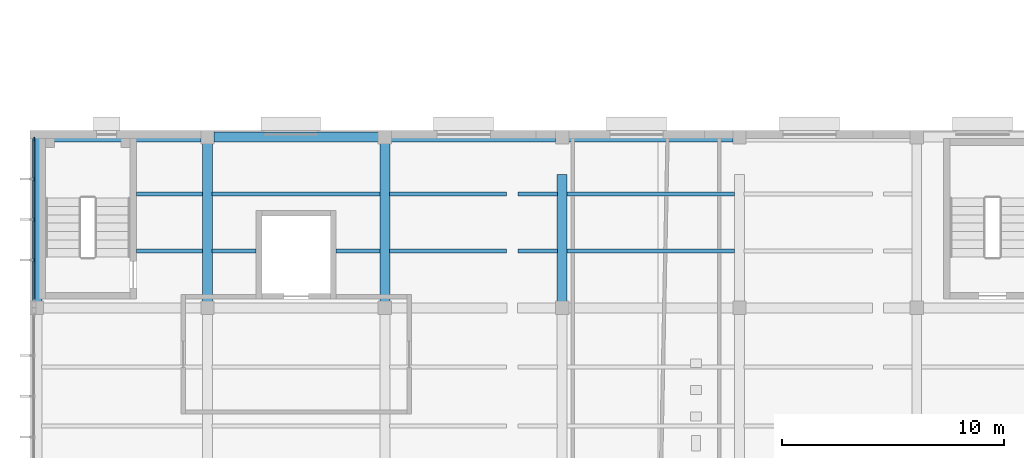
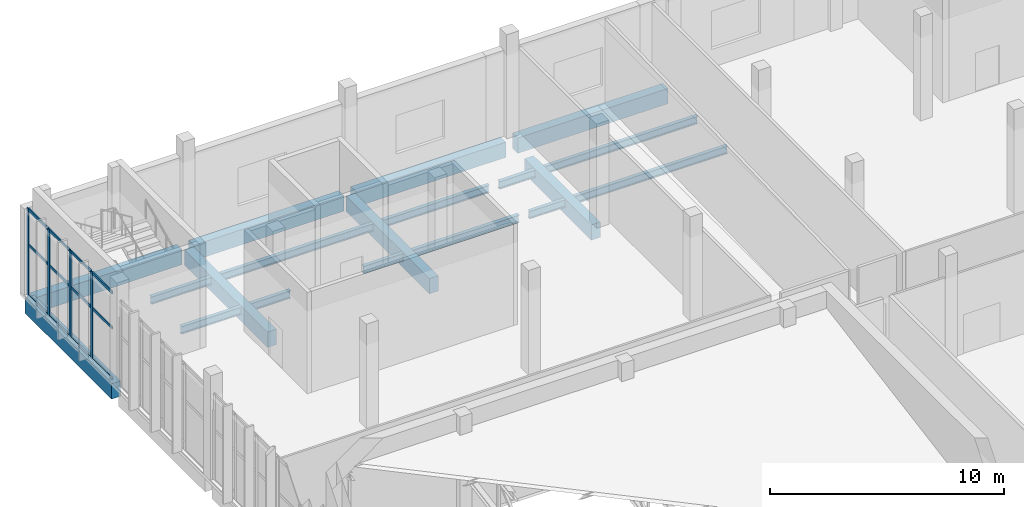
# One storey, part 26 of 132: 19 beams, 16 members, 1 element without a shape of its own.
"""IFC4 building model written with IfcOpenShell, lengths in metres."""

from ifc_helpers import new_model, si_unit, direction, frame, origin, origin_2d, place, context, subcontext, project, spatial, rectangle, i_section, extrude, material, layer, layer_set, material_profile, profile_set, type_object, element, aggregate, save


model = new_model("IFC4")

# Units and contexts
model_context = context("Model", 3, precision=1e-05, world=origin(), true_north=direction((0.0, 1.0)))
body_context = subcontext(model_context, "Body", "Model", "MODEL_VIEW")
ifc_project = project(units=[si_unit("LENGTHUNIT", "METRE"), si_unit("AREAUNIT", "SQUARE_METRE"), si_unit("VOLUMEUNIT", "CUBIC_METRE"), si_unit("PLANEANGLEUNIT", "RADIAN"), si_unit("MASSUNIT", "GRAM", prefix="KILO")], contexts=[model_context])

# Site, building, storey
site_placement = place(None, origin())
site = spatial("IfcSite", under=ifc_project, at=site_placement, CompositionType="ELEMENT")
building_placement = place(site_placement, origin())
building = spatial("IfcBuilding", under=site, at=building_placement, Name="Lunette Opera House", CompositionType="ELEMENT")
storey_placement = place(building_placement, frame((0.0, 0.0, 17.0)))
storey = spatial("IfcBuildingStorey", under=building, at=storey_placement, Name="L03", CompositionType="ELEMENT", Elevation=17.0)

# Curtain wall, members
ifc_material_1 = material(Name="Aluminium", Category="aluminium")
ifc_layer = layer(ifc_material_1, 0.179931640625)
ifc_layer_set = layer_set([ifc_layer], Name="Aluminium")
curtain_wall_type = type_object("IfcCurtainWallType", Name="SUN FACE CURTAIN WALL", PredefinedType="NOTDEFINED", material=ifc_layer_set)
curtain_wall_placement = place(storey_placement, origin())
curtain_wall = element("IfcCurtainWall", 1, at=curtain_wall_placement, inside=storey, type_object=curtain_wall_type, Name="Sun Face Curtain Wall F13 L03", PredefinedType="NOTDEFINED")
ifc_material_2 = material(Name="Aluminium", Category="aluminium")
ifc_material_profile_1 = material_profile(ifc_material_2, rectangle(XDim=0.06005859375, YDim=0.179931640625, at=origin_2d()), Name="MULLION 60 X 180")
ifc_profile_set_1 = profile_set([ifc_material_profile_1], Name="Aluminium")
member_type_1 = type_object("IfcMemberType", Name="MULLION 60 X 180", PredefinedType="MULLION", material=ifc_profile_set_1)
member_1_placement = place(storey_placement, frame((8.181884765625, 111.60498046875, 0.0), z_axis=(0.0, 0.0, 1.0), x_axis=(1.0, 0.0, 0.0)))
member_1 = element("IfcMember", 2, at=member_1_placement, type_object=member_type_1, Name="RW-X2043 mullion 1", PredefinedType="MULLION", context=body_context, shape_type="SweptSolid", body=[
    extrude(rectangle(XDim=0.06005859375, YDim=0.179931640625, at=origin_2d()), origin(), (0.0, 0.0, 1.0), 4.550048828125),
])
member_2_placement = place(storey_placement, frame((8.181884765625, 109.808837890625, 0.0), z_axis=(0.0, 0.0, 1.0), x_axis=(1.0, 0.0, 0.0)))
member_2 = element("IfcMember", 3, at=member_2_placement, type_object=member_type_1, Name="RW-X2043 mullion 2", PredefinedType="MULLION", context=body_context, shape_type="SweptSolid", body=[
    extrude(rectangle(XDim=0.06005859375, YDim=0.179931640625, at=origin_2d()), origin(), (0.0, 0.0, 1.0), 4.550048828125),
])
member_3_placement = place(storey_placement, frame((8.181884765625, 107.982421875, 0.0), z_axis=(0.0, 0.0, 1.0), x_axis=(1.0, 0.0, 0.0)))
member_3 = element("IfcMember", 4, at=member_3_placement, type_object=member_type_1, Name="RW-X2043 mullion 3", PredefinedType="MULLION", context=body_context, shape_type="SweptSolid", body=[
    extrude(rectangle(XDim=0.06005859375, YDim=0.179931640625, at=origin_2d()), origin(), (0.0, 0.0, 1.0), 4.550048828125),
])
member_4_placement = place(storey_placement, frame((8.181884765625, 106.15625, 0.0), z_axis=(0.0, 0.0, 1.0), x_axis=(1.0, 0.0, 0.0)))
member_4 = element("IfcMember", 5, at=member_4_placement, type_object=member_type_1, Name="RW-X2043 mullion 4", PredefinedType="MULLION", context=body_context, shape_type="SweptSolid", body=[
    extrude(rectangle(XDim=0.06005859375, YDim=0.179931640625, at=origin_2d()), origin(), (0.0, 0.0, 1.0), 4.550048828125),
])

# Beams
ifc_material_3 = material(Name="Concrete C35/45", Category="concrete")
ifc_material_profile_2 = material_profile(ifc_material_3, rectangle(XDim=0.449951171875, YDim=0.800048828125, at=origin_2d()), Name="RC BEAM 450X800")
ifc_profile_set_2 = profile_set([ifc_material_profile_2], Name="Concrete C35/45")
beam_type_1 = type_object("IfcBeamType", Name="RC BEAM 450X800", PredefinedType="BEAM", material=ifc_profile_set_2)
beam_1_placement = place(storey_placement, frame((8.300048828125, 104.2900390625, -0.550048828125), z_axis=(0.0, 1.0, 0.0), x_axis=(-1.0, 0.0, 0.0)))
element("IfcBeam", 6, at=beam_1_placement, inside=storey, type_object=beam_type_1, Name="beam-RW-L03-L03-GY05", PredefinedType="BEAM", context=body_context, shape_type="SweptSolid", body=[
    extrude(rectangle(XDim=0.449951171875, YDim=0.800048828125, at=origin_2d()), origin(), (0.0, 0.0, 1.0), 7.409912109375),
])
for number, where, z_axis, x_axis, name in (
    (7, (16.0, 104.2900390625, -0.550048828125), (0.0, 1.0, 0.0), (-1.0, 0.0, 0.0), "beam-RW-L03-L03-GY15"),
    (8, (24.0, 104.2900390625, -0.550048828125), (0.0, 1.0, 0.0), (-1.0, 0.0, 0.0), "beam-RW-L03-L03-GY25"),
):
    element("IfcBeam", number, at=place(storey_placement, frame(where, z_axis=z_axis, x_axis=x_axis)), inside=storey, type_object=beam_type_1, Name=name, PredefinedType="BEAM", context=body_context, shape_type="SweptSolid", body=[
        extrude(rectangle(XDim=0.449951171875, YDim=0.800048828125, at=origin_2d()), origin(), (0.0, 0.0, 1.0), 7.119873046875),
    ])
beam_2_placement = place(storey_placement, frame((32.0, 104.2900390625, -0.550048828125), z_axis=(0.0, 1.0, 0.0), x_axis=(-1.0, 0.0, 0.0)))
element("IfcBeam", 9, at=beam_2_placement, inside=storey, type_object=beam_type_1, Name="beam-RW-L03-L03-GY35", PredefinedType="BEAM", context=body_context, shape_type="SweptSolid", body=[
    extrude(rectangle(XDim=0.449951171875, YDim=0.800048828125, at=origin_2d()), origin(), (0.0, 0.0, 1.0), 5.719970703125),
])
beam_3_placement = place(storey_placement, frame((8.300048828125, 111.699951171875, -0.550048828125), z_axis=(1.0, 0.0, 0.0), x_axis=(0.0, 1.0, 0.0)))
element("IfcBeam", 10, at=beam_3_placement, inside=storey, type_object=beam_type_1, Name="beam-RW-L03-L03-GX06", PredefinedType="BEAM", context=body_context, shape_type="SweptSolid", body=[
    extrude(rectangle(XDim=0.449951171875, YDim=0.800048828125, at=origin_2d()), origin(), (0.0, 0.0, 1.0), 7.409912109375),
])
for number, where, z_axis, x_axis, name in (
    (11, (16.2900390625, 111.699951171875, -0.550048828125), (1.0, 0.0, 0.0), (0.0, 1.0, 0.0), "beam-RW-L03-L03-GX16"),
    (12, (24.2900390625, 111.699951171875, -0.550048828125), (1.0, 0.0, 0.0), (0.0, 1.0, 0.0), "beam-RW-L03-L03-GX26"),
    (13, (32.2900390625, 111.699951171875, -0.550048828125), (1.0, 0.0, 0.0), (0.0, 1.0, 0.0), "beam-RW-L03-L03-GX36"),
):
    element("IfcBeam", number, at=place(storey_placement, frame(where, z_axis=z_axis, x_axis=x_axis)), inside=storey, type_object=beam_type_1, Name=name, PredefinedType="BEAM", context=body_context, shape_type="SweptSolid", body=[
        extrude(rectangle(XDim=0.449951171875, YDim=0.800048828125, at=origin_2d()), origin(), (0.0, 0.0, 1.0), 7.419921875),
    ])
ifc_material_4 = material(Name="Steel S355", Category="steel")
ifc_material_profile_3 = material_profile(ifc_material_4, i_section(OverallWidth=0.179931640625, OverallDepth=0.39990234375, WebThickness=0.008544921875, FlangeThickness=0.013427734375, FilletRadius=0.02099609375, at=origin_2d()), Name="IPE 400")
ifc_profile_set_3 = profile_set([ifc_material_profile_3], Name="Steel S355")
beam_type_2 = type_object("IfcBeamType", Name="STEEL BEAM IPE 400", PredefinedType="BEAM", material=ifc_profile_set_3)
for number, where, z_axis, x_axis, name in (
    (14, (12.800048828125, 106.56689453125, -0.35009765625), (1.0, 0.0, 0.0), (0.0, 1.0, 0.0), "beam-RW-L03-L03-SX051"),
    (15, (12.800048828125, 109.133056640625, -0.35009765625), (1.0, 0.0, 0.0), (0.0, 1.0, 0.0), "beam-RW-L03-L03-SX052"),
):
    element("IfcBeam", number, at=place(storey_placement, frame(where, z_axis=z_axis, x_axis=x_axis)), inside=storey, type_object=beam_type_2, Name=name, PredefinedType="BEAM", context=body_context, shape_type="SweptSolid", body=[
        extrude(i_section(OverallWidth=0.179931640625, OverallDepth=0.39990234375, WebThickness=0.008544921875, FlangeThickness=0.013427734375, FilletRadius=0.02099609375, at=origin_2d()), origin(), (0.0, 0.0, 1.0), 2.98486328125),
    ])
for number, where, z_axis, x_axis, name in (
    (16, (16.215087890625, 106.56689453125, -0.35009765625), (1.0, 0.0, 0.0), (0.0, 1.0, 0.0), "beam-RW-L03-L03-SX151"),
    (17, (21.800048828125, 106.56689453125, -0.35009765625), (1.0, 0.0, 0.0), (0.0, 1.0, 0.0), "beam-RW-L03-L03-SX151-01"),
):
    element("IfcBeam", number, at=place(storey_placement, frame(where, z_axis=z_axis, x_axis=x_axis)), inside=storey, type_object=beam_type_2, Name=name, PredefinedType="BEAM", context=body_context, shape_type="SweptSolid", body=[
        extrude(i_section(OverallWidth=0.179931640625, OverallDepth=0.39990234375, WebThickness=0.008544921875, FlangeThickness=0.013427734375, FilletRadius=0.02099609375, at=origin_2d()), origin(), (0.0, 0.0, 1.0), 1.98486328125),
    ])
beam_4_placement = place(storey_placement, frame((16.215087890625, 109.133056640625, -0.35009765625), z_axis=(1.0, 0.0, 0.0), x_axis=(0.0, 1.0, 0.0)))
element("IfcBeam", 18, at=beam_4_placement, inside=storey, type_object=beam_type_2, Name="beam-RW-L03-L03-SX152", PredefinedType="BEAM", context=body_context, shape_type="SweptSolid", body=[
    extrude(i_section(OverallWidth=0.179931640625, OverallDepth=0.39990234375, WebThickness=0.008544921875, FlangeThickness=0.013427734375, FilletRadius=0.02099609375, at=origin_2d()), origin(), (0.0, 0.0, 1.0), 7.56982421875),
])
beam_5_placement = place(storey_placement, frame((24.215087890625, 106.56689453125, -0.35009765625), z_axis=(1.0, 0.0, 0.0), x_axis=(0.0, 1.0, 0.0)))
element("IfcBeam", 19, at=beam_5_placement, inside=storey, type_object=beam_type_2, Name="beam-RW-L03-L03-SX251", PredefinedType="BEAM", context=body_context, shape_type="SweptSolid", body=[
    extrude(i_section(OverallWidth=0.179931640625, OverallDepth=0.39990234375, WebThickness=0.008544921875, FlangeThickness=0.013427734375, FilletRadius=0.02099609375, at=origin_2d()), origin(), (0.0, 0.0, 1.0), 5.284912109375),
])
beam_6_placement = place(storey_placement, frame((30.0, 106.56689453125, -0.35009765625), z_axis=(1.0, 0.0, 0.0), x_axis=(0.0, 1.0, 0.0)))
element("IfcBeam", 20, at=beam_6_placement, inside=storey, type_object=beam_type_2, Name="beam-RW-L03-L03-SX251-01", PredefinedType="BEAM", context=body_context, shape_type="SweptSolid", body=[
    extrude(i_section(OverallWidth=0.179931640625, OverallDepth=0.39990234375, WebThickness=0.008544921875, FlangeThickness=0.013427734375, FilletRadius=0.02099609375, at=origin_2d()), origin(), (0.0, 0.0, 1.0), 1.784912109375),
])
beam_7_placement = place(storey_placement, frame((24.215087890625, 109.133056640625, -0.35009765625), z_axis=(1.0, 0.0, 0.0), x_axis=(0.0, 1.0, 0.0)))
element("IfcBeam", 21, at=beam_7_placement, inside=storey, type_object=beam_type_2, Name="beam-RW-L03-L03-SX252", PredefinedType="BEAM", context=body_context, shape_type="SweptSolid", body=[
    extrude(i_section(OverallWidth=0.179931640625, OverallDepth=0.39990234375, WebThickness=0.008544921875, FlangeThickness=0.013427734375, FilletRadius=0.02099609375, at=origin_2d()), origin(), (0.0, 0.0, 1.0), 5.284912109375),
])
beam_8_placement = place(storey_placement, frame((30.0, 109.133056640625, -0.35009765625), z_axis=(1.0, 0.0, 0.0), x_axis=(0.0, 1.0, 0.0)))
element("IfcBeam", 22, at=beam_8_placement, inside=storey, type_object=beam_type_2, Name="beam-RW-L03-L03-SX252-01", PredefinedType="BEAM", context=body_context, shape_type="SweptSolid", body=[
    extrude(i_section(OverallWidth=0.179931640625, OverallDepth=0.39990234375, WebThickness=0.008544921875, FlangeThickness=0.013427734375, FilletRadius=0.02099609375, at=origin_2d()), origin(), (0.0, 0.0, 1.0), 1.784912109375),
])
for number, where, z_axis, x_axis, name in (
    (23, (32.215087890625, 106.56689453125, -0.35009765625), (1.0, 0.0, 0.0), (0.0, 1.0, 0.0), "beam-RW-L03-L03-SX351"),
    (24, (32.215087890625, 109.133056640625, -0.35009765625), (1.0, 0.0, 0.0), (0.0, 1.0, 0.0), "beam-RW-L03-L03-SX352"),
):
    element("IfcBeam", number, at=place(storey_placement, frame(where, z_axis=z_axis, x_axis=x_axis)), inside=storey, type_object=beam_type_2, Name=name, PredefinedType="BEAM", context=body_context, shape_type="SweptSolid", body=[
        extrude(i_section(OverallWidth=0.179931640625, OverallDepth=0.39990234375, WebThickness=0.008544921875, FlangeThickness=0.013427734375, FilletRadius=0.02099609375, at=origin_2d()), origin(), (0.0, 0.0, 1.0), 7.56982421875),
    ])

# Member
ifc_material_5 = material(Name="Aluminium", Category="aluminium")
ifc_material_profile_4 = material_profile(ifc_material_5, rectangle(XDim=0.06005859375, YDim=0.139892578125, at=origin_2d()), Name="TRANSOM 60 X 140")
ifc_profile_set_4 = profile_set([ifc_material_profile_4], Name="Aluminium")
member_type_2 = type_object("IfcMemberType", Name="TRANSOM 60 X 140", PredefinedType="USERDEFINED", material=ifc_profile_set_4)
member_5_placement = place(storey_placement, frame((8.181884765625, 111.574951171875, 0.030029296875), z_axis=(0.0, -1.0, 0.0), x_axis=(1.0, 0.0, 0.0)))
member_5 = element("IfcMember", 25, at=member_5_placement, type_object=member_type_2, Name="RW-X2043 transom 1.1", ObjectType="TRANSOM", PredefinedType="USERDEFINED", context=body_context, shape_type="SweptSolid", body=[
    extrude(rectangle(XDim=0.06005859375, YDim=0.139892578125, at=origin_2d()), origin(), (0.0, 0.0, 1.0), 1.736083984375),
])

member_6_placement = place(storey_placement, frame((8.181884765625, 111.574951171875, 2.675048828125), z_axis=(0.0, -1.0, 0.0), x_axis=(1.0, 0.0, 0.0)))
member_6 = element("IfcMember", 26, at=member_6_placement, type_object=member_type_2, Name="RW-X2043 transom 1.2", ObjectType="TRANSOM", PredefinedType="USERDEFINED", context=body_context, shape_type="SweptSolid", body=[
    extrude(rectangle(XDim=0.06005859375, YDim=0.139892578125, at=origin_2d()), origin(), (0.0, 0.0, 1.0), 1.736083984375),
])

member_7_placement = place(storey_placement, frame((8.181884765625, 111.574951171875, 4.52001953125), z_axis=(0.0, -1.0, 0.0), x_axis=(1.0, 0.0, 0.0)))
member_7 = element("IfcMember", 27, at=member_7_placement, type_object=member_type_2, Name="RW-X2043 transom 1.3", ObjectType="TRANSOM", PredefinedType="USERDEFINED", context=body_context, shape_type="SweptSolid", body=[
    extrude(rectangle(XDim=0.06005859375, YDim=0.139892578125, at=origin_2d()), origin(), (0.0, 0.0, 1.0), 1.736083984375),
])

member_8_placement = place(storey_placement, frame((8.181884765625, 109.77880859375, 0.030029296875), z_axis=(0.0, -1.0, 0.0), x_axis=(1.0, 0.0, 0.0)))
member_8 = element("IfcMember", 28, at=member_8_placement, type_object=member_type_2, Name="RW-X2043 transom 2.1", ObjectType="TRANSOM", PredefinedType="USERDEFINED", context=body_context, shape_type="SweptSolid", body=[
    extrude(rectangle(XDim=0.06005859375, YDim=0.139892578125, at=origin_2d()), origin(), (0.0, 0.0, 1.0), 1.766357421875),
])

member_9_placement = place(storey_placement, frame((8.181884765625, 109.77880859375, 2.675048828125), z_axis=(0.0, -1.0, 0.0), x_axis=(1.0, 0.0, 0.0)))
member_9 = element("IfcMember", 29, at=member_9_placement, type_object=member_type_2, Name="RW-X2043 transom 2.2", ObjectType="TRANSOM", PredefinedType="USERDEFINED", context=body_context, shape_type="SweptSolid", body=[
    extrude(rectangle(XDim=0.06005859375, YDim=0.139892578125, at=origin_2d()), origin(), (0.0, 0.0, 1.0), 1.766357421875),
])

member_10_placement = place(storey_placement, frame((8.181884765625, 109.77880859375, 4.52001953125), z_axis=(0.0, -1.0, 0.0), x_axis=(1.0, 0.0, 0.0)))
member_10 = element("IfcMember", 30, at=member_10_placement, type_object=member_type_2, Name="RW-X2043 transom 2.3", ObjectType="TRANSOM", PredefinedType="USERDEFINED", context=body_context, shape_type="SweptSolid", body=[
    extrude(rectangle(XDim=0.06005859375, YDim=0.139892578125, at=origin_2d()), origin(), (0.0, 0.0, 1.0), 1.766357421875),
])

member_11_placement = place(storey_placement, frame((8.181884765625, 107.952392578125, 0.030029296875), z_axis=(0.0, -1.0, 0.0), x_axis=(1.0, 0.0, 0.0)))
member_11 = element("IfcMember", 31, at=member_11_placement, type_object=member_type_2, Name="RW-X2043 transom 3.1", ObjectType="TRANSOM", PredefinedType="USERDEFINED", context=body_context, shape_type="SweptSolid", body=[
    extrude(rectangle(XDim=0.06005859375, YDim=0.139892578125, at=origin_2d()), origin(), (0.0, 0.0, 1.0), 1.76611328125),
])

member_12_placement = place(storey_placement, frame((8.181884765625, 107.952392578125, 2.675048828125), z_axis=(0.0, -1.0, 0.0), x_axis=(1.0, 0.0, 0.0)))
member_12 = element("IfcMember", 32, at=member_12_placement, type_object=member_type_2, Name="RW-X2043 transom 3.2", ObjectType="TRANSOM", PredefinedType="USERDEFINED", context=body_context, shape_type="SweptSolid", body=[
    extrude(rectangle(XDim=0.06005859375, YDim=0.139892578125, at=origin_2d()), origin(), (0.0, 0.0, 1.0), 1.76611328125),
])

member_13_placement = place(storey_placement, frame((8.181884765625, 107.952392578125, 4.52001953125), z_axis=(0.0, -1.0, 0.0), x_axis=(1.0, 0.0, 0.0)))
member_13 = element("IfcMember", 33, at=member_13_placement, type_object=member_type_2, Name="RW-X2043 transom 3.3", ObjectType="TRANSOM", PredefinedType="USERDEFINED", context=body_context, shape_type="SweptSolid", body=[
    extrude(rectangle(XDim=0.06005859375, YDim=0.139892578125, at=origin_2d()), origin(), (0.0, 0.0, 1.0), 1.76611328125),
])

member_14_placement = place(storey_placement, frame((8.181884765625, 106.126220703125, 0.030029296875), z_axis=(0.0, -1.0, 0.0), x_axis=(1.0, 0.0, 0.0)))
member_14 = element("IfcMember", 34, at=member_14_placement, type_object=member_type_2, Name="RW-X2043 transom 4.1", ObjectType="TRANSOM", PredefinedType="USERDEFINED", context=body_context, shape_type="SweptSolid", body=[
    extrude(rectangle(XDim=0.06005859375, YDim=0.139892578125, at=origin_2d()), origin(), (0.0, 0.0, 1.0), 1.736328125),
])

member_15_placement = place(storey_placement, frame((8.181884765625, 106.126220703125, 2.675048828125), z_axis=(0.0, -1.0, 0.0), x_axis=(1.0, 0.0, 0.0)))
member_15 = element("IfcMember", 35, at=member_15_placement, type_object=member_type_2, Name="RW-X2043 transom 4.2", ObjectType="TRANSOM", PredefinedType="USERDEFINED", context=body_context, shape_type="SweptSolid", body=[
    extrude(rectangle(XDim=0.06005859375, YDim=0.139892578125, at=origin_2d()), origin(), (0.0, 0.0, 1.0), 1.736328125),
])

member_16_placement = place(storey_placement, frame((8.181884765625, 106.126220703125, 4.52001953125), z_axis=(0.0, -1.0, 0.0), x_axis=(1.0, 0.0, 0.0)))
member_16 = element("IfcMember", 36, at=member_16_placement, type_object=member_type_2, Name="RW-X2043 transom 4.3", ObjectType="TRANSOM", PredefinedType="USERDEFINED", context=body_context, shape_type="SweptSolid", body=[
    extrude(rectangle(XDim=0.06005859375, YDim=0.139892578125, at=origin_2d()), origin(), (0.0, 0.0, 1.0), 1.736328125),
])

aggregate(curtain_wall, [member_1, member_2, member_3, member_4, member_5, member_6, member_7, member_8, member_9, member_10, member_11, member_12, member_13, member_14, member_15, member_16])

save(model, "model.ifc")
